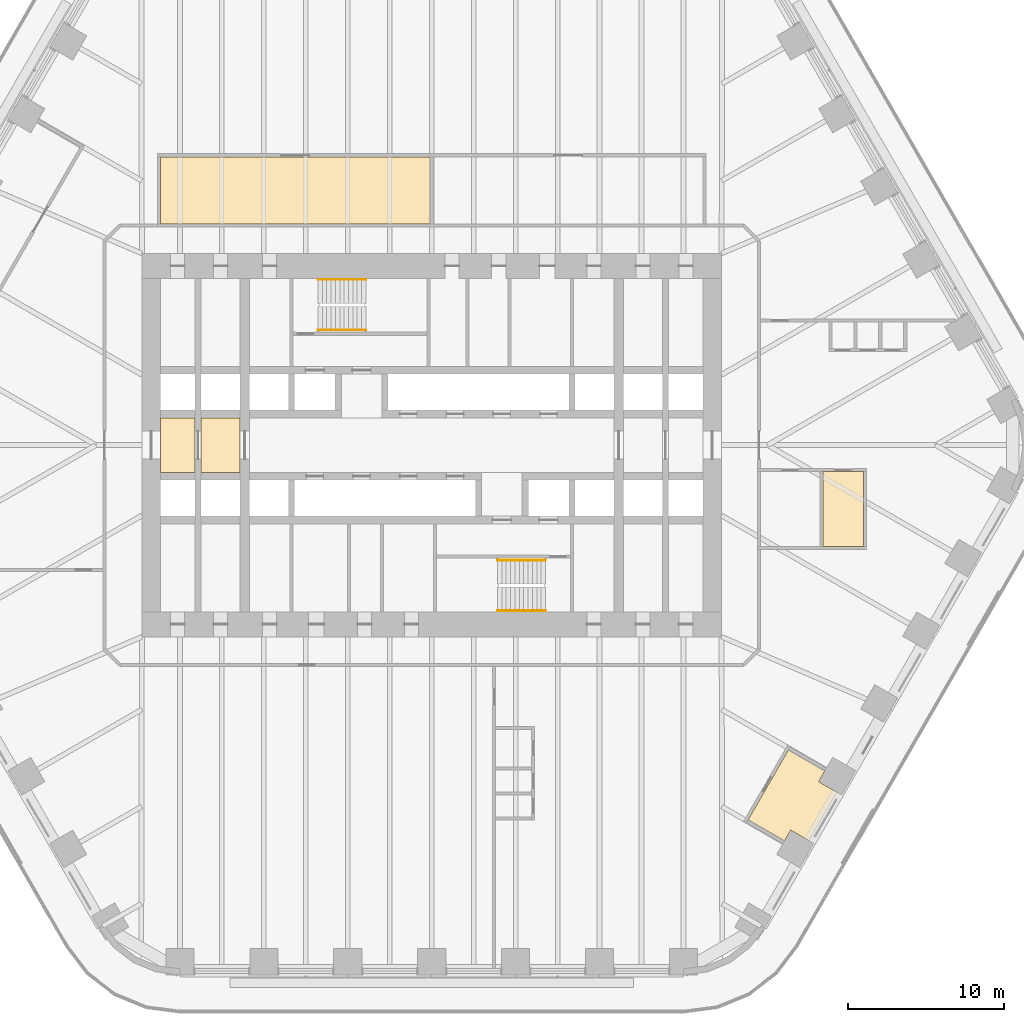
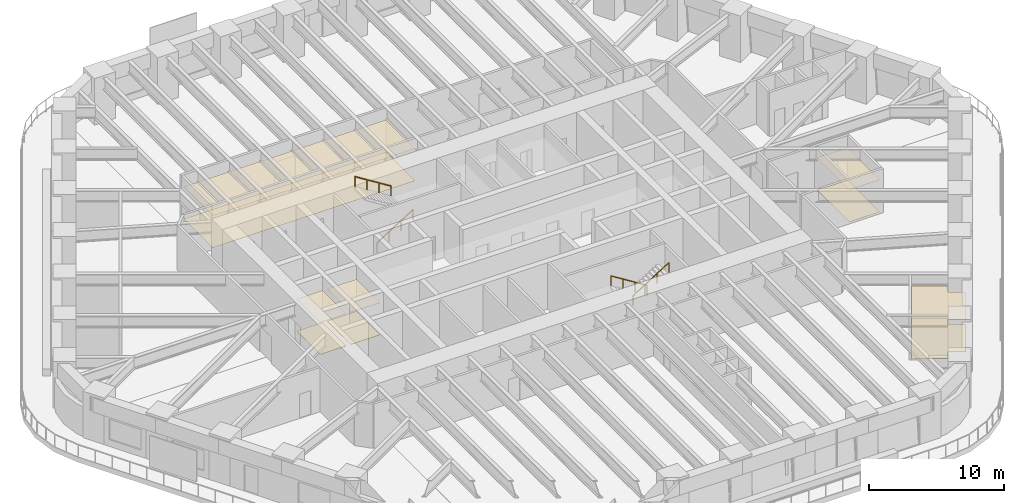
# One storey, part 22 of 24: 6 coverings, 4 railings.
"""IFC4 building model written with IfcOpenShell, lengths in metres."""

from ifc_helpers import new_model, si_unit, direction, frame, origin, origin_2d, place, context, subcontext, project, spatial, polyline, circle, outline, extrude, material, layer, layer_set, type_object, element, save


model = new_model("IFC4")

# Units and contexts
model_context = context("Model", 3, precision=1e-05, world=origin(), true_north=direction((0.0, 1.0)))
body_context = subcontext(model_context, "Body", "Model", "MODEL_VIEW")
ifc_project = project(units=[si_unit("LENGTHUNIT", "METRE"), si_unit("AREAUNIT", "SQUARE_METRE"), si_unit("VOLUMEUNIT", "CUBIC_METRE"), si_unit("PLANEANGLEUNIT", "RADIAN"), si_unit("MASSUNIT", "GRAM", prefix="KILO")], contexts=[model_context])

# Site, building, storey
site_placement = place(None, origin())
site = spatial("IfcSite", under=ifc_project, at=site_placement, CompositionType="ELEMENT")
building_placement = place(site_placement, origin())
building = spatial("IfcBuilding", under=site, at=building_placement, Name="Tarfa Lantern Tower", CompositionType="ELEMENT")
storey_placement = place(building_placement, frame((0.0, 0.0, 94.89990234375)))
storey = spatial("IfcBuildingStorey", under=building, at=storey_placement, Name="L21", CompositionType="ELEMENT", Elevation=94.89990234375)

# Coverings
ifc_material_1 = material(Name="Mineral fibre acoustic tile on suspension grid", Category="finish")
ifc_layer_1 = layer(ifc_material_1, 0.02001953125)
ifc_layer_set_1 = layer_set([ifc_layer_1], Name="CL1 ACOUSTIC TILE CEILING 20")
covering_type_1 = type_object("IfcCoveringType", Name="CL1 ACOUSTIC TILE CEILING 20", PredefinedType="CEILING", material=ifc_layer_set_1)
covering_1_placement = place(storey_placement, frame((0.0, 0.0, 2.900146484375)))
element("IfcCovering", 1, at=covering_1_placement, inside=storey, type_object=covering_type_1, Name="Ceiling L21 CL1", PredefinedType="CEILING", context=body_context, shape_type="SweptSolid", body=[
    extrude(outline(polyline([(-17.39990234375, 18.5), (-0.10009765625, 18.5), (-0.10009765625, 14.199951171875), (-17.39990234375, 14.199951171875), (-17.39990234375, 18.5)])), origin(), (0.0, 0.0, 1.0), 0.02001953125),
    extrude(outline(polyline([(25.10009765625, -1.699951171875), (27.699951171875, -1.699951171875), (27.699951171875, -6.5), (25.10009765625, -6.5), (25.10009765625, -1.699951171875)])), origin(), (0.0, 0.0, 1.0), 0.02001953125),
    extrude(outline(polyline([(22.89013671875, -19.55322265625), (25.228271484375, -20.9033203125), (24.828369140625, -21.59619140625), (25.99755859375, -22.27099609375), (24.203125, -25.37890625), (23.033935546875, -24.703857421875), (22.634033203125, -25.396728515625), (20.295654296875, -24.046630859375), (22.89013671875, -19.55322265625)])), origin(), (0.0, 0.0, 1.0), 0.02001953125),
])
ifc_material_2 = material(Name="Powder-coated aluminium panel", Category="aluminium")
ifc_layer_2 = layer(ifc_material_2, 0.030029296875)
ifc_layer_set_2 = layer_set([ifc_layer_2], Name="CL3 METAL PANEL CEILING 30")
covering_type_2 = type_object("IfcCoveringType", Name="CL3 METAL PANEL CEILING 30", PredefinedType="CEILING", material=ifc_layer_set_2)
covering_2_placement = place(storey_placement, frame((0.0, 0.0, 2.900146484375)))
element("IfcCovering", 2, at=covering_2_placement, inside=storey, type_object=covering_type_2, Name="Ceiling L21-01", PredefinedType="CEILING", context=body_context, shape_type="SweptSolid", body=[
    extrude(outline(polyline([(-17.39990234375, -1.75), (-15.199951171875, -1.75), (-15.199951171875, 1.75), (-17.39990234375, 1.75), (-17.39990234375, -1.75)])), origin(), (0.0, 0.0, 1.0), 0.030029296875),
])
covering_3_placement = place(storey_placement, frame((0.0, 0.0, 2.900146484375)))
element("IfcCovering", 3, at=covering_3_placement, inside=storey, type_object=covering_type_2, Name="Ceiling L21-02", PredefinedType="CEILING", context=body_context, shape_type="SweptSolid", body=[
    extrude(outline(polyline([(-14.800048828125, -1.75), (-12.300048828125, -1.75), (-12.300048828125, 1.75), (-14.800048828125, 1.75), (-14.800048828125, -1.75)])), origin(), (0.0, 0.0, 1.0), 0.030029296875),
])
ifc_material_3 = material(Name="Nylon carpet tile", Category="finish")
ifc_layer_3 = layer(ifc_material_3, 0.010009765625)
ifc_layer_set_3 = layer_set([ifc_layer_3], Name="FL1 CARPET TILE 10")
covering_type_3 = type_object("IfcCoveringType", Name="FL1 CARPET TILE 10", PredefinedType="FLOORING", material=ifc_layer_set_3)
covering_4_placement = place(storey_placement, origin())
element("IfcCovering", 4, at=covering_4_placement, inside=storey, type_object=covering_type_3, Name="Floor finish L21 FL1", PredefinedType="FLOORING", context=body_context, shape_type="SweptSolid", body=[
    extrude(outline(polyline([(-17.39990234375, 18.5), (-0.10009765625, 18.5), (-0.10009765625, 14.199951171875), (-17.39990234375, 14.199951171875), (-17.39990234375, 18.5)])), origin(), (0.0, 0.0, 1.0), 0.010009765625),
    extrude(outline(polyline([(25.10009765625, -1.699951171875), (27.699951171875, -1.699951171875), (27.699951171875, -6.5), (25.10009765625, -6.5), (25.10009765625, -1.699951171875)])), origin(), (0.0, 0.0, 1.0), 0.010009765625),
    extrude(outline(polyline([(22.89013671875, -19.55322265625), (25.228271484375, -20.9033203125), (24.828369140625, -21.59619140625), (25.99755859375, -22.27099609375), (24.203125, -25.37890625), (23.033935546875, -24.703857421875), (22.634033203125, -25.396728515625), (20.295654296875, -24.046630859375), (22.89013671875, -19.55322265625)])), origin(), (0.0, 0.0, 1.0), 0.010009765625),
])
ifc_material_4 = material(Name="Honed limestone flooring", Category="masonry")
ifc_layer_4 = layer(ifc_material_4, 0.030029296875)
ifc_layer_set_4 = layer_set([ifc_layer_4], Name="FL2 STONE FLOORING 30")
covering_type_4 = type_object("IfcCoveringType", Name="FL2 STONE FLOORING 30", PredefinedType="FLOORING", material=ifc_layer_set_4)
covering_5_placement = place(storey_placement, origin())
element("IfcCovering", 5, at=covering_5_placement, inside=storey, type_object=covering_type_4, Name="Floor finish L21-01", PredefinedType="FLOORING", context=body_context, shape_type="SweptSolid", body=[
    extrude(outline(polyline([(-17.39990234375, -1.75), (-15.199951171875, -1.75), (-15.199951171875, 1.75), (-17.39990234375, 1.75), (-17.39990234375, -1.75)])), origin(), (0.0, 0.0, 1.0), 0.030029296875),
])
covering_6_placement = place(storey_placement, origin())
element("IfcCovering", 6, at=covering_6_placement, inside=storey, type_object=covering_type_4, Name="Floor finish L21-02", PredefinedType="FLOORING", context=body_context, shape_type="SweptSolid", body=[
    extrude(outline(polyline([(-14.800048828125, -1.75), (-12.300048828125, -1.75), (-12.300048828125, 1.75), (-14.800048828125, 1.75), (-14.800048828125, -1.75)])), origin(), (0.0, 0.0, 1.0), 0.030029296875),
])

# Railings
ifc_material_5 = material(Name="Stainless steel", Category="steel")
railing_type = type_object("IfcRailingType", Name="HR1 HANDRAIL 900", PredefinedType="HANDRAIL", material=ifc_material_5)
railing_1_placement = place(storey_placement, frame((-7.300048828125, 7.3798828125, 0.175048828125)))
element("IfcRailing", 7, at=railing_1_placement, inside=storey, type_object=railing_type, Name="Handrail 1", PredefinedType="HANDRAIL", context=body_context, shape_type="SweptSolid", body=[
    extrude(circle(Radius=0.02392578125, at=origin_2d()), frame((0.0, 0.0, 0.8759765625), z_axis=(0.847998304005, 0.0, 0.529998940003), x_axis=(0.0, 1.0, 0.0)), (0.0, 0.0, 1.0), 3.632080078125),
    extrude(circle(Radius=0.02099609375, at=origin_2d()), frame((0.0, 0.0, 0.0), z_axis=(0.0, 0.0, 1.0), x_axis=(0.0, 1.0, 0.0)), (0.0, 0.0, 1.0), 0.851806640625),
    extrude(circle(Radius=0.02099609375, at=origin_2d()), frame((1.026611328125, 0.0, 0.6416015625), z_axis=(0.0, 0.0, 1.0), x_axis=(0.0, 1.0, 0.0)), (0.0, 0.0, 1.0), 0.851806640625),
    extrude(circle(Radius=0.02099609375, at=origin_2d()), frame((2.053466796875, 0.0, 1.283447265625), z_axis=(0.0, 0.0, 1.0), x_axis=(0.0, 1.0, 0.0)), (0.0, 0.0, 1.0), 0.851806640625),
    extrude(circle(Radius=0.02099609375, at=origin_2d()), frame((3.080078125, 0.0, 1.925048828125), z_axis=(0.0, 0.0, 1.0), x_axis=(0.0, 1.0, 0.0)), (0.0, 0.0, 1.0), 0.851806640625),
])
for number, where, name in (
    (8, (-4.219970703125, 10.6201171875, 2.275146484375), "Handrail 2"),
    (9, (7.300048828125, -7.3798828125, 0.175048828125), "Handrail 1"),
):
    element("IfcRailing", number, at=place(storey_placement, frame(where)), inside=storey, type_object=railing_type, Name=name, PredefinedType="HANDRAIL", context=body_context, shape_type="SweptSolid", body=[
        extrude(circle(Radius=0.02392578125, at=origin_2d()), frame((0.0, 0.0, 0.8759765625), z_axis=(-0.847998304005, 0.0, 0.529998940003), x_axis=(0.0, -1.0, 0.0)), (0.0, 0.0, 1.0), 3.632080078125),
        extrude(circle(Radius=0.02099609375, at=origin_2d()), frame((0.0, 0.0, 0.0), z_axis=(0.0, 0.0, 1.0), x_axis=(0.0, -1.0, 0.0)), (0.0, 0.0, 1.0), 0.851806640625),
        extrude(circle(Radius=0.02099609375, at=origin_2d()), frame((-1.026611328125, 0.0, 0.6416015625), z_axis=(0.0, 0.0, 1.0), x_axis=(0.0, -1.0, 0.0)), (0.0, 0.0, 1.0), 0.851806640625),
        extrude(circle(Radius=0.02099609375, at=origin_2d()), frame((-2.053466796875, 0.0, 1.283447265625), z_axis=(0.0, 0.0, 1.0), x_axis=(0.0, -1.0, 0.0)), (0.0, 0.0, 1.0), 0.851806640625),
        extrude(circle(Radius=0.02099609375, at=origin_2d()), frame((-3.080078125, 0.0, 1.925048828125), z_axis=(0.0, 0.0, 1.0), x_axis=(0.0, -1.0, 0.0)), (0.0, 0.0, 1.0), 0.851806640625),
    ])
railing_2_placement = place(storey_placement, frame((4.219970703125, -10.6201171875, 2.275146484375)))
element("IfcRailing", 10, at=railing_2_placement, inside=storey, type_object=railing_type, Name="Handrail 2", PredefinedType="HANDRAIL", context=body_context, shape_type="SweptSolid", body=[
    extrude(circle(Radius=0.02392578125, at=origin_2d()), frame((0.0, 0.0, 0.8759765625), z_axis=(0.847998304005, 0.0, 0.529998940003), x_axis=(0.0, 1.0, 0.0)), (0.0, 0.0, 1.0), 3.632080078125),
    extrude(circle(Radius=0.02099609375, at=origin_2d()), frame((0.0, 0.0, 0.0), z_axis=(0.0, 0.0, 1.0), x_axis=(0.0, 1.0, 0.0)), (0.0, 0.0, 1.0), 0.851806640625),
    extrude(circle(Radius=0.02099609375, at=origin_2d()), frame((1.026611328125, 0.0, 0.6416015625), z_axis=(0.0, 0.0, 1.0), x_axis=(0.0, 1.0, 0.0)), (0.0, 0.0, 1.0), 0.851806640625),
    extrude(circle(Radius=0.02099609375, at=origin_2d()), frame((2.053466796875, 0.0, 1.283447265625), z_axis=(0.0, 0.0, 1.0), x_axis=(0.0, 1.0, 0.0)), (0.0, 0.0, 1.0), 0.851806640625),
    extrude(circle(Radius=0.02099609375, at=origin_2d()), frame((3.080078125, 0.0, 1.925048828125), z_axis=(0.0, 0.0, 1.0), x_axis=(0.0, 1.0, 0.0)), (0.0, 0.0, 1.0), 0.851806640625),
])

save(model, "model.ifc")
